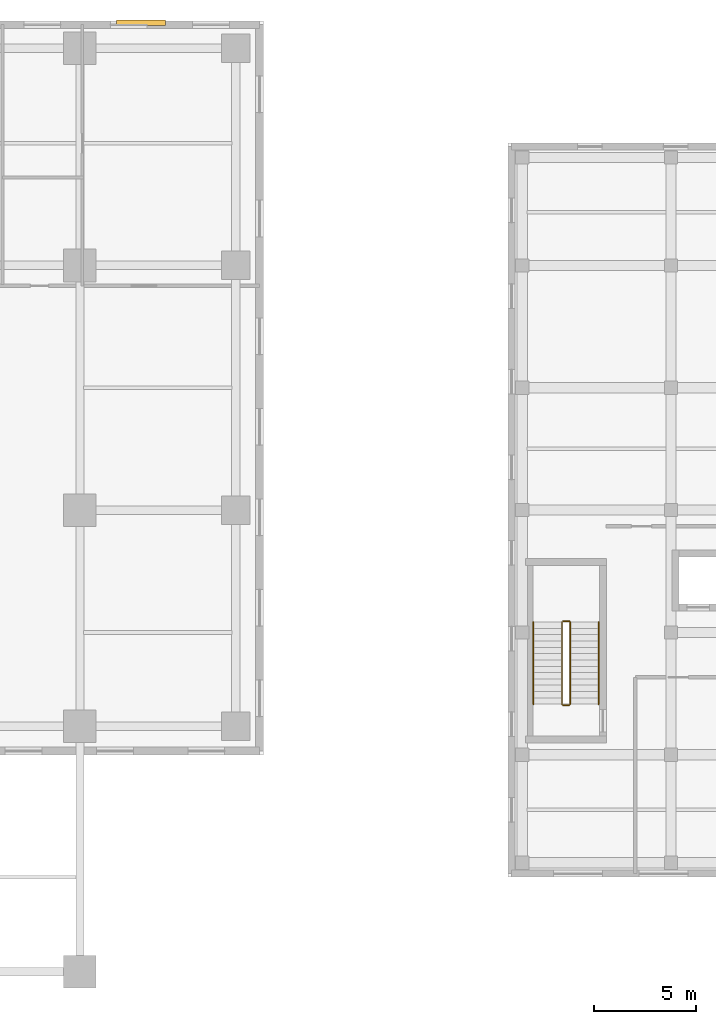
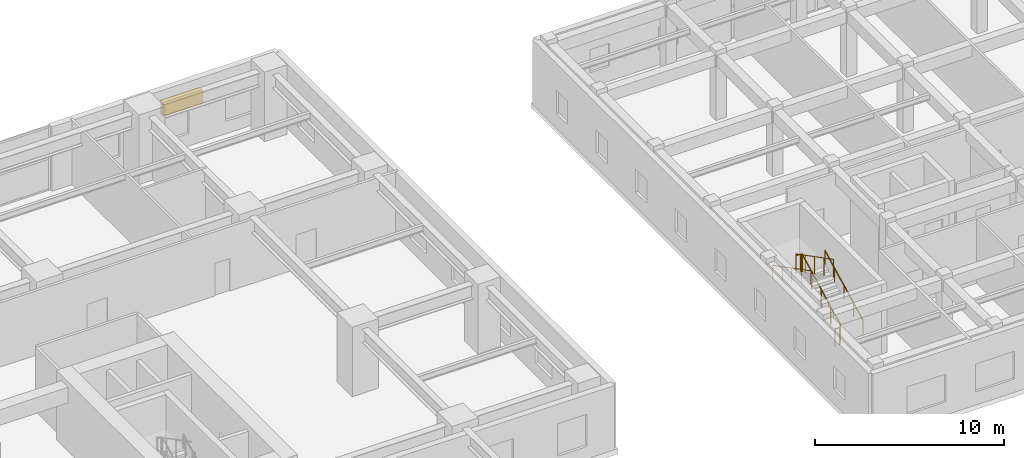
# One storey, part 25 of 26: 6 railings, 1 shading device.
"""IFC4 building model written with IfcOpenShell, lengths in metres."""

from ifc_helpers import new_model, si_unit, direction, frame, origin, origin_2d, place, context, subcontext, project, spatial, rectangle, circle, extrude, source, transform, mapped, material, layer, layer_set, type_object, element, save


model = new_model("IFC4")

# Units and contexts
model_context = context("Model", 3, precision=1e-05, world=origin(), true_north=direction((0.0, 1.0)))
body_context = subcontext(model_context, "Body", "Model", "MODEL_VIEW")
ifc_project = project(units=[si_unit("LENGTHUNIT", "METRE"), si_unit("AREAUNIT", "SQUARE_METRE"), si_unit("VOLUMEUNIT", "CUBIC_METRE"), si_unit("PLANEANGLEUNIT", "RADIAN"), si_unit("MASSUNIT", "GRAM", prefix="KILO")], contexts=[model_context])

# Site, building, storey
site_placement = place(None, origin())
site = spatial("IfcSite", under=ifc_project, at=site_placement, CompositionType="ELEMENT")
building_placement = place(site_placement, origin())
building = spatial("IfcBuilding", under=site, at=building_placement, Name="Khoralis Quay Care Tower", CompositionType="ELEMENT")
storey_placement = place(building_placement, frame((0.0, 0.0, 4.5)))
storey = spatial("IfcBuildingStorey", under=building, at=storey_placement, Name="L01", CompositionType="ELEMENT", Elevation=4.5)

# Railings
ifc_material_1 = material(Name="Brushed stainless steel", Category="steel")
railing_type_1 = type_object("IfcRailingType", Name="RL-GUARD-1150", PredefinedType="GUARDRAIL", material=ifc_material_1)
railing_1_placement = place(storey_placement, frame((71.050048828125, 14.47998046875, 0.16064453125)))
element("IfcRailing", 1, at=railing_1_placement, inside=storey, type_object=railing_type_1, Name="L01 ST-S1 stair guard 1", PredefinedType="GUARDRAIL", context=body_context, shape_type="SweptSolid", body=[
    extrude(circle(Radius=0.02392578125, at=origin_2d()), frame((0.0, 0.0, 1.1259765625), z_axis=(0.0, 0.887780577991, 0.46026692836), x_axis=(-1.0, 0.0, 0.0)), (0.0, 0.0, 1.0), 4.53955078125),
    extrude(circle(Radius=0.02099609375, at=origin_2d()), origin(), (0.0, 0.0, 1.0), 1.101806640625),
    extrude(circle(Radius=0.02099609375, at=origin_2d()), frame((0.0, 1.007568359375, 0.5224609375)), (0.0, 0.0, 1.0), 1.101806640625),
    extrude(circle(Radius=0.02099609375, at=origin_2d()), frame((0.0, 2.01513671875, 1.044677734375)), (0.0, 0.0, 1.0), 1.101806640625),
    extrude(circle(Radius=0.02099609375, at=origin_2d()), frame((0.0, 3.0224609375, 1.56689453125)), (0.0, 0.0, 1.0), 1.101806640625),
    extrude(circle(Radius=0.02099609375, at=origin_2d()), frame((0.0, 4.030029296875, 2.08935546875)), (0.0, 0.0, 1.0), 1.101806640625),
])
railing_2_placement = place(storey_placement, frame((71.0, 18.56005859375, 2.25)))
element("IfcRailing", 2, at=railing_2_placement, inside=storey, type_object=railing_type_1, Name="L01 ST-S1 stair guard 2", PredefinedType="GUARDRAIL", context=body_context, shape_type="SweptSolid", body=[
    extrude(circle(Radius=0.02392578125, at=origin_2d()), frame((0.0, 0.0, 1.1259765625), z_axis=(-1.0, 0.0, 0.0), x_axis=(0.0, -1.0, 0.0)), (0.0, 0.0, 1.0), 0.300048828125),
    extrude(circle(Radius=0.02099609375, at=origin_2d()), origin(), (0.0, 0.0, 1.0), 1.101806640625),
    extrude(circle(Radius=0.02099609375, at=origin_2d()), frame((-0.300048828125, 0.0, 0.0)), (0.0, 0.0, 1.0), 1.101806640625),
])
railing_3_placement = place(storey_placement, frame((70.64990234375, 18.510009765625, 2.41064453125)))
element("IfcRailing", 3, at=railing_3_placement, inside=storey, type_object=railing_type_1, Name="L01 ST-S1 stair guard 3", PredefinedType="GUARDRAIL", context=body_context, shape_type="SweptSolid", body=[
    extrude(circle(Radius=0.02392578125, at=origin_2d()), frame((0.0, 0.0, 1.1259765625), z_axis=(0.0, -0.887780577991, 0.46026692836), x_axis=(1.0, 0.0, 0.0)), (0.0, 0.0, 1.0), 4.53955078125),
    extrude(circle(Radius=0.02099609375, at=origin_2d()), origin(), (0.0, 0.0, 1.0), 1.101806640625),
    extrude(circle(Radius=0.02099609375, at=origin_2d()), frame((0.0, -1.007568359375, 0.5224609375)), (0.0, 0.0, 1.0), 1.101806640625),
    extrude(circle(Radius=0.02099609375, at=origin_2d()), frame((0.0, -2.01513671875, 1.044677734375)), (0.0, 0.0, 1.0), 1.101806640625),
    extrude(circle(Radius=0.02099609375, at=origin_2d()), frame((0.0, -3.0224609375, 1.56689453125)), (0.0, 0.0, 1.0), 1.101806640625),
    extrude(circle(Radius=0.02099609375, at=origin_2d()), frame((0.0, -4.030029296875, 2.08935546875)), (0.0, 0.0, 1.0), 1.101806640625),
])
railing_4_placement = place(storey_placement, frame((71.0, 14.429931640625, 0.0)))
element("IfcRailing", 4, at=railing_4_placement, inside=storey, type_object=railing_type_1, Name="L01 ST-S1 stair guard 4", PredefinedType="GUARDRAIL", context=body_context, shape_type="SweptSolid", body=[
    extrude(circle(Radius=0.02392578125, at=origin_2d()), frame((0.0, 0.0, 1.1259765625), z_axis=(-1.0, 0.0, 0.0), x_axis=(0.0, -1.0, 0.0)), (0.0, 0.0, 1.0), 0.300048828125),
    extrude(circle(Radius=0.02099609375, at=origin_2d()), origin(), (0.0, 0.0, 1.0), 1.101806640625),
    extrude(circle(Radius=0.02099609375, at=origin_2d()), frame((-0.300048828125, 0.0, 0.0)), (0.0, 0.0, 1.0), 1.101806640625),
])
railing_type_2 = type_object("IfcRailingType", Name="RL-HAND-900", PredefinedType="HANDRAIL", material=ifc_material_1)
railing_5_placement = place(storey_placement, frame((72.449951171875, 14.47998046875, 0.16064453125)))
element("IfcRailing", 5, at=railing_5_placement, inside=storey, type_object=railing_type_2, Name="L01 ST-S1 stair handrail 1", PredefinedType="HANDRAIL", context=body_context, shape_type="SweptSolid", body=[
    extrude(circle(Radius=0.02392578125, at=origin_2d()), frame((0.0, 0.0, 0.8759765625), z_axis=(0.0, 0.887780577991, 0.46026692836), x_axis=(-1.0, 0.0, 0.0)), (0.0, 0.0, 1.0), 4.53955078125),
    extrude(circle(Radius=0.02099609375, at=origin_2d()), origin(), (0.0, 0.0, 1.0), 0.851806640625),
    extrude(circle(Radius=0.02099609375, at=origin_2d()), frame((0.0, 1.007568359375, 0.5224609375)), (0.0, 0.0, 1.0), 0.851806640625),
    extrude(circle(Radius=0.02099609375, at=origin_2d()), frame((0.0, 2.01513671875, 1.044677734375)), (0.0, 0.0, 1.0), 0.851806640625),
    extrude(circle(Radius=0.02099609375, at=origin_2d()), frame((0.0, 3.0224609375, 1.56689453125)), (0.0, 0.0, 1.0), 0.851806640625),
    extrude(circle(Radius=0.02099609375, at=origin_2d()), frame((0.0, 4.030029296875, 2.08935546875)), (0.0, 0.0, 1.0), 0.851806640625),
])
railing_6_placement = place(storey_placement, frame((69.25, 18.510009765625, 2.41064453125)))
element("IfcRailing", 6, at=railing_6_placement, inside=storey, type_object=railing_type_2, Name="L01 ST-S1 stair handrail 2", PredefinedType="HANDRAIL", context=body_context, shape_type="SweptSolid", body=[
    extrude(circle(Radius=0.02392578125, at=origin_2d()), frame((0.0, 0.0, 0.8759765625), z_axis=(0.0, -0.887780577991, 0.46026692836), x_axis=(1.0, 0.0, 0.0)), (0.0, 0.0, 1.0), 4.53955078125),
    extrude(circle(Radius=0.02099609375, at=origin_2d()), origin(), (0.0, 0.0, 1.0), 0.851806640625),
    extrude(circle(Radius=0.02099609375, at=origin_2d()), frame((0.0, -1.007568359375, 0.5224609375)), (0.0, 0.0, 1.0), 0.851806640625),
    extrude(circle(Radius=0.02099609375, at=origin_2d()), frame((0.0, -2.01513671875, 1.044677734375)), (0.0, 0.0, 1.0), 0.851806640625),
    extrude(circle(Radius=0.02099609375, at=origin_2d()), frame((0.0, -3.0224609375, 1.56689453125)), (0.0, 0.0, 1.0), 0.851806640625),
    extrude(circle(Radius=0.02099609375, at=origin_2d()), frame((0.0, -4.030029296875, 2.08935546875)), (0.0, 0.0, 1.0), 0.851806640625),
])

# Shading device
ifc_material_2 = material(Name="Brushed pale anodised aluminium", Category="aluminium")
ifc_layer = layer(ifc_material_2, 0.080078125)
ifc_layer_set = layer_set([ifc_layer], Name="Brushed pale anodised aluminium")
shading_device_type = type_object("IfcShadingDeviceType", Name="SHD-LOUVRE-300", PredefinedType="USERDEFINED", material=ifc_layer_set)
shared_shape = source(origin(), body_context, "Body", "SweptSolid", [
    extrude(rectangle(XDim=2.39990234375, YDim=0.280029296875, at=origin_2d()), origin(), (0.0, 0.0, 1.0), 0.89990234375),
])
shading_device_placement = place(storey_placement, frame((50.0, 47.89990234375, 2.35009765625), z_axis=(0.0, 0.0, 1.0), x_axis=(1.0, 0.0, 0.0)))
element("IfcShadingDevice", 7, at=shading_device_placement, inside=storey, type_object=shading_device_type, Name="L01 Podium Mechanical Intake Louvre", ObjectType="LOUVRE", PredefinedType="USERDEFINED", context=body_context, shape_type="MappedRepresentation", body=[
    mapped(shared_shape, transform((0.0, 0.0, 0.0), scale=1.0)),
])

save(model, "model.ifc")
